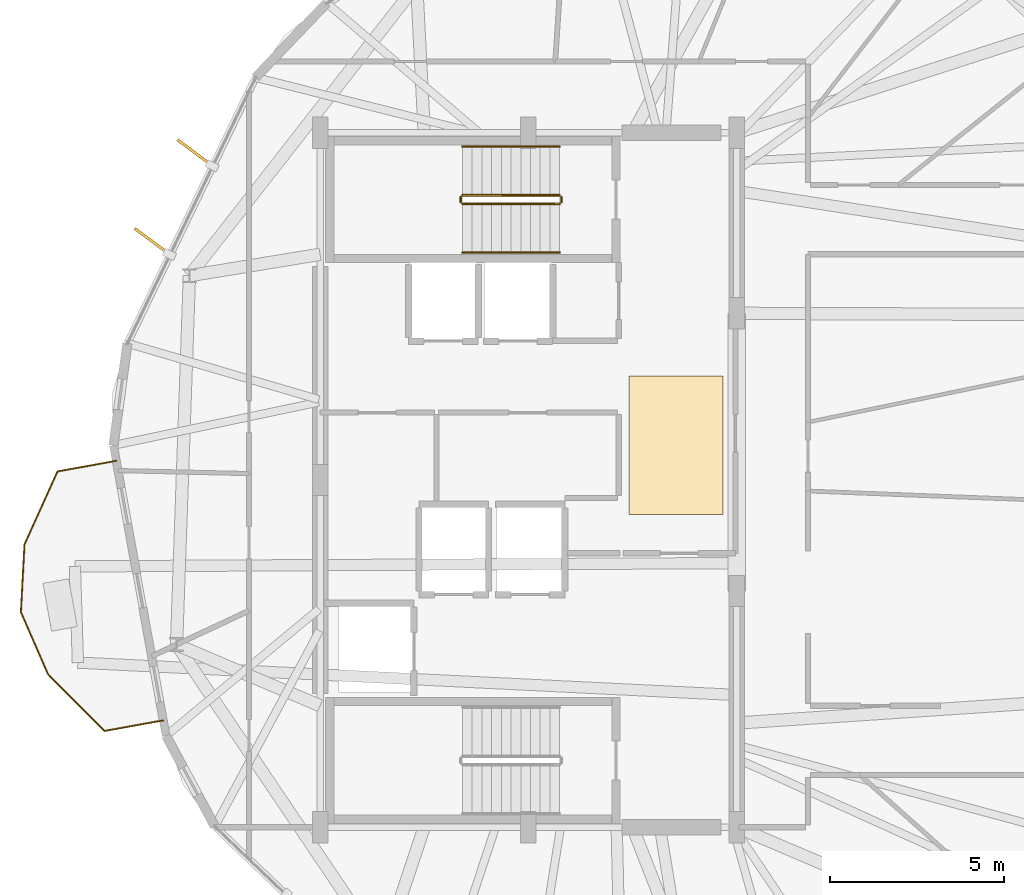
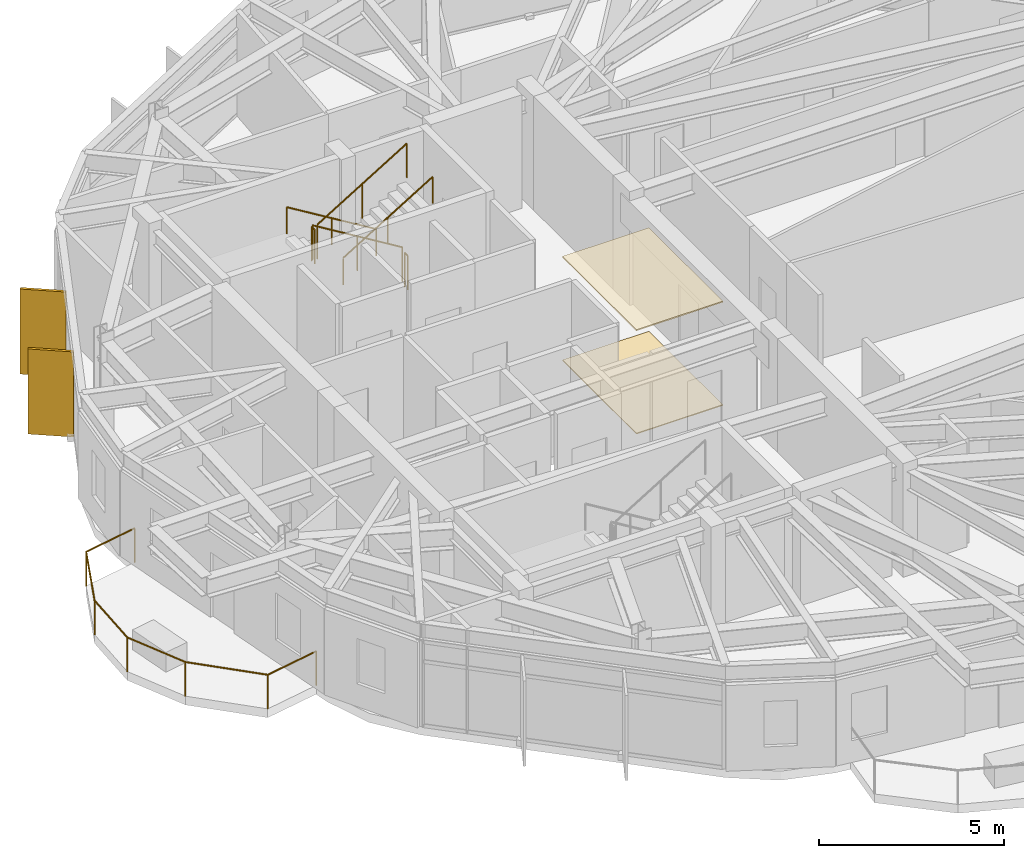
# One storey, part 25 of 26: 7 railings, 2 coverings, 2 shading devices.
"""IFC4 building model written with IfcOpenShell, lengths in metres."""

from ifc_helpers import new_model, si_unit, direction, frame, origin, origin_2d, place, context, subcontext, project, spatial, polyline, rectangle, circle, outline, extrude, material, layer, layer_set, type_object, element, save


model = new_model("IFC4")

# Units and contexts
model_context = context("Model", 3, precision=1e-05, world=origin(), true_north=direction((0.0, 1.0)))
body_context = subcontext(model_context, "Body", "Model", "MODEL_VIEW")
ifc_project = project(units=[si_unit("LENGTHUNIT", "METRE"), si_unit("AREAUNIT", "SQUARE_METRE"), si_unit("VOLUMEUNIT", "CUBIC_METRE"), si_unit("PLANEANGLEUNIT", "RADIAN"), si_unit("MASSUNIT", "GRAM", prefix="KILO")], contexts=[model_context])

# Site, building, storey
site_placement = place(None, origin())
site = spatial("IfcSite", under=ifc_project, at=site_placement, CompositionType="ELEMENT")
building_placement = place(site_placement, origin())
building = spatial("IfcBuilding", under=site, at=building_placement, Name="Soratama Intermodal Tower", CompositionType="ELEMENT")
storey_placement = place(building_placement, frame((0.0, 0.0, 268.75)))
storey = spatial("IfcBuildingStorey", under=building, at=storey_placement, Name="L68", CompositionType="ELEMENT", Elevation=268.75)

# Coverings
ifc_material_1 = material(Name="Perforated mineral acoustic ceiling", Category="concrete")
ifc_layer_1 = layer(ifc_material_1, 0.0400390625)
ifc_layer_set_1 = layer_set([ifc_layer_1], Name="Perforated mineral acoustic ceiling")
covering_type_1 = type_object("IfcCoveringType", Name="CV-CEIL-ACOUSTIC", PredefinedType="CEILING", material=ifc_layer_set_1)
covering_1_placement = place(storey_placement, frame((0.0, 0.0, 3.409912109375)))
element("IfcCovering", 1, at=covering_1_placement, inside=storey, type_object=covering_type_1, Name="L68 Acoustic Ceiling", PredefinedType="CEILING", context=body_context, shape_type="SweptSolid", body=[
    extrude(outline(polyline([(41.5, 24.0), (44.199951171875, 24.0), (44.199951171875, 28.0), (41.5, 28.0), (41.5, 24.0)])), origin(), (0.0, 0.0, 1.0), 0.0400390625),
])
ifc_material_2 = material(Name="Polished Andean stone terrazzo flooring", Category="masonry")
ifc_layer_2 = layer(ifc_material_2, 0.030029296875)
ifc_layer_set_2 = layer_set([ifc_layer_2], Name="Polished Andean stone terrazzo flooring")
covering_type_2 = type_object("IfcCoveringType", Name="CV-FLOR-TERRAZZO", PredefinedType="FLOORING", material=ifc_layer_set_2)
covering_2_placement = place(storey_placement, origin())
element("IfcCovering", 2, at=covering_2_placement, inside=storey, type_object=covering_type_2, Name="L68 Lobby Terrazzo Flooring", PredefinedType="FLOORING", context=body_context, shape_type="SweptSolid", body=[
    extrude(outline(polyline([(41.5, 24.0), (44.199951171875, 24.0), (44.199951171875, 28.0), (41.5, 28.0), (41.5, 24.0)])), origin(), (0.0, 0.0, 1.0), 0.030029296875),
])

# Railings
ifc_material_3 = material(Name="Laminated glass and stainless steel balustrade", Category="steel")
railing_type_1 = type_object("IfcRailingType", Name="RL-BAL-1150", PredefinedType="BALUSTRADE", material=ifc_material_3)
railing_1_placement = place(storey_placement, frame((28.0830078125, 18.076171875, 0.0)))
element("IfcRailing", 3, at=railing_1_placement, inside=storey, type_object=railing_type_1, Name="L68 Balcony Balustrade 2", PredefinedType="BALUSTRADE", context=body_context, shape_type="SweptSolid", body=[
    extrude(circle(Radius=0.02392578125, at=origin_2d()), frame((0.0, 0.0, 1.1259765625), z_axis=(-0.984033007832, -0.177986065458, 0.0), x_axis=(0.177986065458, -0.984033007832, 0.0)), (0.0, 0.0, 1.0), 1.719970703125),
    extrude(circle(Radius=0.02392578125, at=origin_2d()), frame((-1.692626953125, -0.30615234375, 1.1259765625), z_axis=(-0.705465493192, 0.708744268348, 0.0), x_axis=(-0.708744268348, -0.705465493192, 0.0)), (0.0, 0.0, 1.0), 2.308349609375),
    extrude(circle(Radius=0.02392578125, at=origin_2d()), frame((-3.321044921875, 1.329833984375, 1.1259765625), z_axis=(-0.399677033684, 0.916656025315, 0.0), x_axis=(-0.916656025315, -0.399677033684, 0.0)), (0.0, 0.0, 1.0), 1.9521484375),
    extrude(circle(Radius=0.02392578125, at=origin_2d()), frame((-4.101318359375, 3.119384765625, 1.1259765625), z_axis=(0.053024860817, 0.998593192514, 0.0), x_axis=(-0.998593192514, 0.053024860817, 0.0)), (0.0, 0.0, 1.0), 1.9521484375),
    extrude(circle(Radius=0.02392578125, at=origin_2d()), frame((-3.997802734375, 5.06884765625, 1.1259765625), z_axis=(0.412272387955, 0.911060633619, 0.0), x_axis=(-0.911060633619, 0.412272387955, 0.0)), (0.0, 0.0, 1.0), 2.308349609375),
    extrude(circle(Radius=0.02392578125, at=origin_2d()), frame((-3.046142578125, 7.171875, 1.1259765625), z_axis=(0.984003635705, 0.17814837894, 0.0), x_axis=(-0.17814837894, 0.984003635705, 0.0)), (0.0, 0.0, 1.0), 1.719970703125),
    extrude(circle(Radius=0.02099609375, at=origin_2d()), origin(), (0.0, 0.0, 1.0), 1.101806640625),
    extrude(circle(Radius=0.02099609375, at=origin_2d()), frame((-1.692626953125, -0.30615234375, 0.0)), (0.0, 0.0, 1.0), 1.101806640625),
    extrude(circle(Radius=0.02099609375, at=origin_2d()), frame((-3.321044921875, 1.329833984375, 0.0)), (0.0, 0.0, 1.0), 1.101806640625),
    extrude(circle(Radius=0.02099609375, at=origin_2d()), frame((-4.101318359375, 3.119384765625, 0.0)), (0.0, 0.0, 1.0), 1.101806640625),
    extrude(circle(Radius=0.02099609375, at=origin_2d()), frame((-3.997802734375, 5.06884765625, 0.0)), (0.0, 0.0, 1.0), 1.101806640625),
    extrude(circle(Radius=0.02099609375, at=origin_2d()), frame((-3.046142578125, 7.171875, 0.0)), (0.0, 0.0, 1.0), 1.101806640625),
    extrude(circle(Radius=0.02099609375, at=origin_2d()), frame((-1.353759765625, 7.478271484375, 0.0)), (0.0, 0.0, 1.0), 1.101806640625),
])
ifc_material_4 = material(Name="Painted steel stair guardrail", Category="steel")
railing_type_2 = type_object("IfcRailingType", Name="RL-STAIR-GUARD", PredefinedType="GUARDRAIL", material=ifc_material_4)
railing_2_placement = place(storey_placement, frame((39.5, 33.199951171875, 0.17041015625)))
element("IfcRailing", 4, at=railing_2_placement, inside=storey, type_object=railing_type_2, Name="L68 ST-2 stair guard 1", PredefinedType="GUARDRAIL", context=body_context, shape_type="SweptSolid", body=[
    extrude(circle(Radius=0.02392578125, at=origin_2d()), frame((0.0, 0.0, 1.1259765625), z_axis=(-0.854169791009, 0.0, 0.51999420009), x_axis=(0.0, -1.0, 0.0)), (0.0, 0.0, 1.0), 3.278076171875),
    extrude(circle(Radius=0.02099609375, at=origin_2d()), origin(), (0.0, 0.0, 1.0), 1.101806640625),
    extrude(circle(Radius=0.02099609375, at=origin_2d()), frame((-1.39990234375, 0.0, 0.852294921875)), (0.0, 0.0, 1.0), 1.101806640625),
    extrude(circle(Radius=0.02099609375, at=origin_2d()), frame((-2.800048828125, 0.0, 1.70458984375)), (0.0, 0.0, 1.0), 1.101806640625),
])
railing_3_placement = place(storey_placement, frame((36.64990234375, 33.14990234375, 1.875)))
element("IfcRailing", 5, at=railing_3_placement, inside=storey, type_object=railing_type_2, Name="L68 ST-2 stair guard 2", PredefinedType="GUARDRAIL", context=body_context, shape_type="SweptSolid", body=[
    extrude(circle(Radius=0.02392578125, at=origin_2d()), frame((0.0, 0.0, 1.1259765625), z_axis=(0.0, -1.0, 0.0), x_axis=(1.0, 0.0, 0.0)), (0.0, 0.0, 1.0), 0.14990234375),
    extrude(circle(Radius=0.02099609375, at=origin_2d()), origin(), (0.0, 0.0, 1.0), 1.101806640625),
    extrude(circle(Radius=0.02099609375, at=origin_2d()), frame((0.0, -0.14990234375, 0.0)), (0.0, 0.0, 1.0), 1.101806640625),
])
railing_4_placement = place(storey_placement, frame((36.699951171875, 32.949951171875, 2.04541015625)))
element("IfcRailing", 6, at=railing_4_placement, inside=storey, type_object=railing_type_2, Name="L68 ST-2 stair guard 3", PredefinedType="GUARDRAIL", context=body_context, shape_type="SweptSolid", body=[
    extrude(circle(Radius=0.02392578125, at=origin_2d()), frame((0.0, 0.0, 1.1259765625), z_axis=(0.854169791009, 0.0, 0.51999420009), x_axis=(0.0, 1.0, 0.0)), (0.0, 0.0, 1.0), 3.278076171875),
    extrude(circle(Radius=0.02099609375, at=origin_2d()), origin(), (0.0, 0.0, 1.0), 1.101806640625),
    extrude(circle(Radius=0.02099609375, at=origin_2d()), frame((1.39990234375, 0.0, 0.852294921875)), (0.0, 0.0, 1.0), 1.101806640625),
    extrude(circle(Radius=0.02099609375, at=origin_2d()), frame((2.800048828125, 0.0, 1.70458984375)), (0.0, 0.0, 1.0), 1.101806640625),
])
railing_5_placement = place(storey_placement, frame((39.550048828125, 33.14990234375, 0.0)))
element("IfcRailing", 7, at=railing_5_placement, inside=storey, type_object=railing_type_2, Name="L68 ST-2 stair guard 4", PredefinedType="GUARDRAIL", context=body_context, shape_type="SweptSolid", body=[
    extrude(circle(Radius=0.02392578125, at=origin_2d()), frame((0.0, 0.0, 1.1259765625), z_axis=(0.0, -1.0, 0.0), x_axis=(1.0, 0.0, 0.0)), (0.0, 0.0, 1.0), 0.14990234375),
    extrude(circle(Radius=0.02099609375, at=origin_2d()), origin(), (0.0, 0.0, 1.0), 1.101806640625),
    extrude(circle(Radius=0.02099609375, at=origin_2d()), frame((0.0, -0.14990234375, 0.0)), (0.0, 0.0, 1.0), 1.101806640625),
])
ifc_material_5 = material(Name="Brushed stainless steel handrail", Category="steel")
railing_type_3 = type_object("IfcRailingType", Name="RL-STAIR-HAND", PredefinedType="HANDRAIL", material=ifc_material_5)
railing_6_placement = place(storey_placement, frame((39.5, 34.60009765625, 0.17041015625)))
element("IfcRailing", 8, at=railing_6_placement, inside=storey, type_object=railing_type_3, Name="L68 ST-2 stair handrail 1", PredefinedType="HANDRAIL", context=body_context, shape_type="SweptSolid", body=[
    extrude(circle(Radius=0.02392578125, at=origin_2d()), frame((0.0, 0.0, 0.8759765625), z_axis=(-0.854169791009, 0.0, 0.51999420009), x_axis=(0.0, -1.0, 0.0)), (0.0, 0.0, 1.0), 3.278076171875),
    extrude(circle(Radius=0.02099609375, at=origin_2d()), origin(), (0.0, 0.0, 1.0), 0.851806640625),
    extrude(circle(Radius=0.02099609375, at=origin_2d()), frame((-1.39990234375, 0.0, 0.852294921875)), (0.0, 0.0, 1.0), 0.851806640625),
    extrude(circle(Radius=0.02099609375, at=origin_2d()), frame((-2.800048828125, 0.0, 1.70458984375)), (0.0, 0.0, 1.0), 0.851806640625),
])
railing_7_placement = place(storey_placement, frame((36.699951171875, 31.550048828125, 2.04541015625)))
element("IfcRailing", 9, at=railing_7_placement, inside=storey, type_object=railing_type_3, Name="L68 ST-2 stair handrail 2", PredefinedType="HANDRAIL", context=body_context, shape_type="SweptSolid", body=[
    extrude(circle(Radius=0.02392578125, at=origin_2d()), frame((0.0, 0.0, 0.8759765625), z_axis=(0.854169791009, 0.0, 0.51999420009), x_axis=(0.0, 1.0, 0.0)), (0.0, 0.0, 1.0), 3.278076171875),
    extrude(circle(Radius=0.02099609375, at=origin_2d()), origin(), (0.0, 0.0, 1.0), 0.851806640625),
    extrude(circle(Radius=0.02099609375, at=origin_2d()), frame((1.39990234375, 0.0, 0.852294921875)), (0.0, 0.0, 1.0), 0.851806640625),
    extrude(circle(Radius=0.02099609375, at=origin_2d()), frame((2.800048828125, 0.0, 1.70458984375)), (0.0, 0.0, 1.0), 0.851806640625),
])

# Shading devices
ifc_material_6 = material(Name="Champagne anodised aluminium solar fin", Category="aluminium")
ifc_layer_3 = layer(ifc_material_6, 0.080078125)
ifc_layer_set_3 = layer_set([ifc_layer_3], Name="Champagne anodised aluminium solar fin")
shading_device_type = type_object("IfcShadingDeviceType", Name="SH-FIN-1250", PredefinedType="USERDEFINED", material=ifc_layer_set_3)
for number, where, z_axis, x_axis, name in (
    (10, (28.991943359375, 34.426025390625, 0.02001953125), (0.0, 0.0, 1.0), (-0.802401036097, 0.596785201953, 0.0), "L68 Solar Fin F03-1"),
    (11, (27.761474609375, 31.873779296875, 0.02001953125), (0.0, 0.0, 1.0), (-0.802401036097, 0.596785201953, 0.0), "L68 Solar Fin F03-2"),
):
    element("IfcShadingDevice", number, at=place(storey_placement, frame(where, z_axis=z_axis, x_axis=x_axis)), inside=storey, type_object=shading_device_type, Name=name, ObjectType="FIN", PredefinedType="USERDEFINED", context=body_context, shape_type="SweptSolid", body=[
        extrude(rectangle(XDim=1.25, YDim=0.080078125, at=origin_2d()), origin(), (0.0, 0.0, 1.0), 2.80908203125),
    ])

save(model, "model.ifc")
